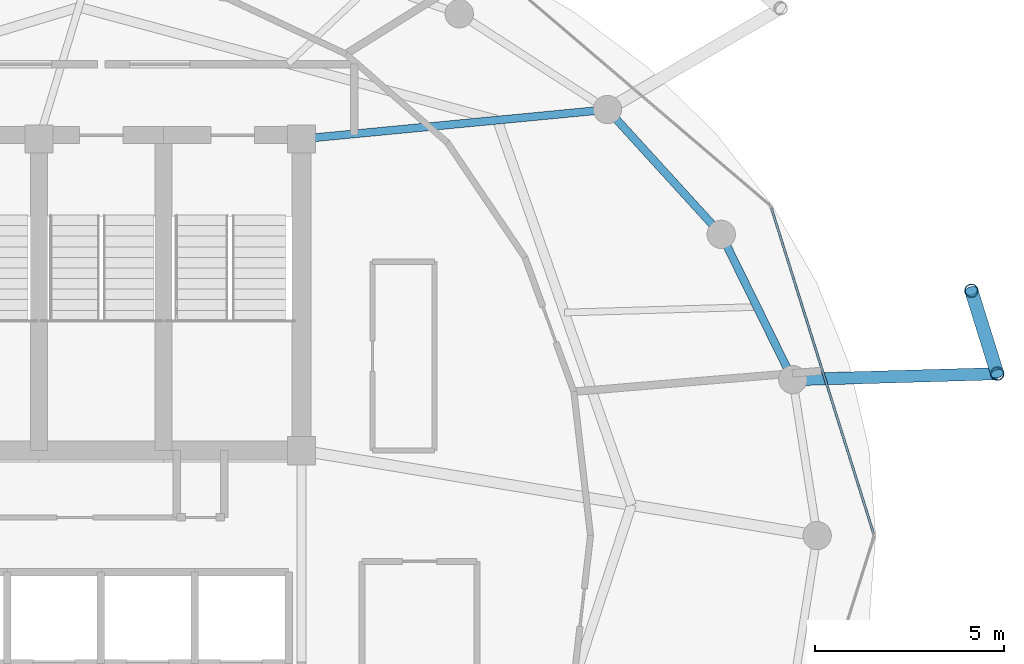
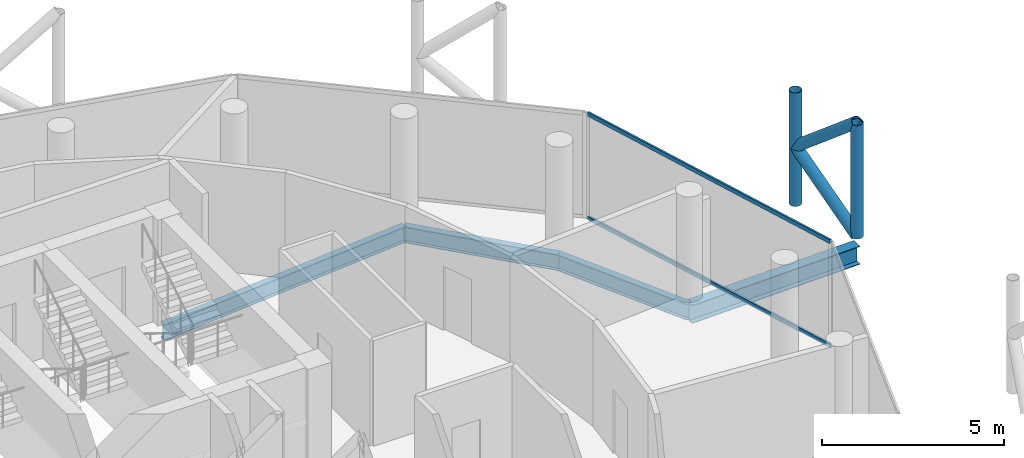
# One storey, part 13 of 24: 6 members, 4 beams, 1 element without a shape of its own.
"""IFC4 building model written with IfcOpenShell, lengths in metres."""

from ifc_helpers import new_model, si_unit, direction, frame, origin, origin_2d, place, context, subcontext, project, spatial, hollow_rectangle, hollow_circle, i_section, extrude, material, layer, layer_set, material_profile, profile_set, type_object, element, aggregate, save


model = new_model("IFC4")

# Units and contexts
model_context = context("Model", 3, precision=1e-05, world=origin(), true_north=direction((0.0, 1.0)))
body_context = subcontext(model_context, "Body", "Model", "MODEL_VIEW")
ifc_project = project(units=[si_unit("LENGTHUNIT", "METRE"), si_unit("AREAUNIT", "SQUARE_METRE"), si_unit("VOLUMEUNIT", "CUBIC_METRE"), si_unit("PLANEANGLEUNIT", "RADIAN"), si_unit("MASSUNIT", "GRAM", prefix="KILO")], contexts=[model_context])

# Site, building, storey
site_placement = place(None, origin())
site = spatial("IfcSite", under=ifc_project, at=site_placement, CompositionType="ELEMENT")
building_placement = place(site_placement, origin())
building = spatial("IfcBuilding", under=site, at=building_placement, Name="Nuhasar Tower", CompositionType="ELEMENT")
storey_placement = place(building_placement, frame((0.0, 0.0, 278.39990234375)))
storey = spatial("IfcBuildingStorey", under=building, at=storey_placement, Name="L69", CompositionType="ELEMENT", Elevation=278.39990234375)

# Beams
ifc_material_1 = material(Name="Steel S355", Category="steel")
ifc_material_profile_1 = material_profile(ifc_material_1, i_section(OverallWidth=0.208984375, OverallDepth=0.528076171875, WebThickness=0.009521484375, FlangeThickness=0.01318359375, at=origin_2d()), Name="W21X55")
ifc_profile_set_1 = profile_set([ifc_material_profile_1], Name="Steel S355")
beam_type_1 = type_object("IfcBeamType", Name="BM-RAD-W21X55", PredefinedType="BEAM", material=ifc_profile_set_1)
beam_1_placement = place(storey_placement, frame((44.300048828125, 37.300048828125, -0.52392578125), z_axis=(0.99542073054, 0.095590633496, 0.0), x_axis=(-0.095590633496, 0.99542073054, 0.0)))
element("IfcBeam", 1, at=beam_1_placement, inside=storey, type_object=beam_type_1, Name="L69 Radial Floor Girder 05", PredefinedType="BEAM", context=body_context, shape_type="SweptSolid", body=[
    extrude(i_section(OverallWidth=0.208984375, OverallDepth=0.528076171875, WebThickness=0.009521484375, FlangeThickness=0.01318359375, at=origin_2d()), origin(), (0.0, 0.0, 1.0), 8.13720703125),
])
ifc_material_profile_2 = material_profile(ifc_material_1, i_section(OverallWidth=0.2099609375, OverallDepth=0.537109375, WebThickness=0.010986328125, FlangeThickness=0.017333984375, at=origin_2d()), Name="W21X68")
ifc_profile_set_2 = profile_set([ifc_material_profile_2], Name="Steel S355")
beam_type_2 = type_object("IfcBeamType", Name="BM-RING-W21X68", PredefinedType="SPANDREL", material=ifc_profile_set_2)
beam_2_placement = place(storey_placement, frame((57.303955078125, 30.927978515625, -0.52880859375), z_axis=(-0.441533119295, 0.897244952377, 0.0), x_axis=(-0.897244952377, -0.441533119295, 0.0)))
element("IfcBeam", 2, at=beam_2_placement, inside=storey, type_object=beam_type_2, Name="L69 Perimeter Ring Spandrel 02", PredefinedType="SPANDREL", context=body_context, shape_type="SweptSolid", body=[
    extrude(i_section(OverallWidth=0.2099609375, OverallDepth=0.537109375, WebThickness=0.010986328125, FlangeThickness=0.017333984375, at=origin_2d()), origin(), (0.0, 0.0, 1.0), 4.28759765625),
])
beam_3_placement = place(storey_placement, frame((55.410888671875, 34.77490234375, -0.52880859375), z_axis=(-0.673686302939, 0.739017432293, 0.0), x_axis=(-0.739017432293, -0.673686302939, 0.0)))
element("IfcBeam", 3, at=beam_3_placement, inside=storey, type_object=beam_type_2, Name="L69 Perimeter Ring Spandrel 03", PredefinedType="SPANDREL", context=body_context, shape_type="SweptSolid", body=[
    extrude(i_section(OverallWidth=0.2099609375, OverallDepth=0.537109375, WebThickness=0.010986328125, FlangeThickness=0.017333984375, at=origin_2d()), origin(), (0.0, 0.0, 1.0), 4.469482421875),
])
ifc_material_profile_3 = material_profile(ifc_material_1, i_section(OverallWidth=0.323974609375, OverallDepth=0.611083984375, WebThickness=0.0126953125, FlangeThickness=0.01904296875, at=origin_2d()), Name="W24X104")
ifc_profile_set_3 = profile_set([ifc_material_profile_3], Name="Steel S355")
beam_type_3 = type_object("IfcBeamType", Name="BM-TIE-W24X104", PredefinedType="BEAM", material=ifc_profile_set_3)
beam_4_placement = place(storey_placement, frame((57.303955078125, 30.927978515625, -0.56591796875), z_axis=(0.999574661214, 0.029163275875, 0.0), x_axis=(-0.029163275875, 0.999574661214, 0.0)))
element("IfcBeam", 4, at=beam_4_placement, inside=storey, type_object=beam_type_3, Name="L69 Exoskeleton Node Tie Beam 01", PredefinedType="BEAM", context=body_context, shape_type="SweptSolid", body=[
    extrude(i_section(OverallWidth=0.323974609375, OverallDepth=0.611083984375, WebThickness=0.0126953125, FlangeThickness=0.01904296875, at=origin_2d()), origin(), (0.0, 0.0, 1.0), 5.416259765625),
])

# Curtain wall, members
ifc_material_2 = material(Name="Aluminium 6063-T6", Category="aluminium")
ifc_layer = layer(ifc_material_2, 0.18994140625)
ifc_layer_set = layer_set([ifc_layer], Name="Aluminium 6063-T6")
curtain_wall_type = type_object("IfcCurtainWallType", Name="CW-Z4-PEN", PredefinedType="NOTDEFINED", material=ifc_layer_set)
curtain_wall_placement = place(storey_placement, origin())
curtain_wall = element("IfcCurtainWall", 5, at=curtain_wall_placement, inside=storey, type_object=curtain_wall_type, Name="L69 Unitised Curtain Wall 01", PredefinedType="NOTDEFINED")
ifc_material_profile_4 = material_profile(ifc_material_2, hollow_rectangle(XDim=0.06005859375, YDim=0.135009765625, WallThickness=0.00439453125, at=origin_2d()), Name="CWT-5")
ifc_profile_set_4 = profile_set([ifc_material_profile_4], Name="Aluminium 6063-T6")
member_type_1 = type_object("IfcMemberType", Name="CW-TRN-S5", PredefinedType="USERDEFINED", material=ifc_profile_set_4)
member_1_placement = place(storey_placement, frame((59.442138671875, 26.857177734375, 0.030029296875), z_axis=(-0.29956014073, 0.954077419335, 0.0), x_axis=(-0.954077419335, -0.29956014073, 0.0)))
member_1 = element("IfcMember", 6, at=member_1_placement, type_object=member_type_1, Name="CW-Z4 transom 1.1", ObjectType="TRANSOM", PredefinedType="USERDEFINED", context=body_context, shape_type="SweptSolid", body=[
    extrude(hollow_rectangle(XDim=0.06005859375, YDim=0.135009765625, WallThickness=0.00439453125, at=origin_2d()), origin(), (0.0, 0.0, 1.0), 9.0302734375),
])
member_2_placement = place(storey_placement, frame((59.442138671875, 26.857177734375, 3.510009765625), z_axis=(-0.29956014073, 0.954077419335, 0.0), x_axis=(-0.954077419335, -0.29956014073, 0.0)))
member_2 = element("IfcMember", 7, at=member_2_placement, type_object=member_type_1, Name="CW-Z4 transom 1.2", ObjectType="TRANSOM", PredefinedType="USERDEFINED", context=body_context, shape_type="SweptSolid", body=[
    extrude(hollow_rectangle(XDim=0.06005859375, YDim=0.135009765625, WallThickness=0.00439453125, at=origin_2d()), origin(), (0.0, 0.0, 1.0), 9.0302734375),
])
aggregate(curtain_wall, [member_1, member_2])

# Members
ifc_material_3 = material(Name="Steel S460", Category="steel")
ifc_material_profile_5 = material_profile(ifc_material_3, hollow_circle(Radius=0.177734375, WallThickness=0.015869140625, at=origin_2d()), Name="HSS355.6X15.9")
ifc_profile_set_5 = profile_set([ifc_material_profile_5], Name="Steel S460")
member_type_2 = type_object("IfcMemberType", Name="EXO-BRONZE-356", PredefinedType="BRACE", material=ifc_profile_set_5)
for number, where, z_axis, x_axis, name in (
    (8, (62.718017578125, 31.0859375, 0.0), (0.0, 0.0, 1.0), (1.0, 0.0, 0.0), "L69 Exoskeleton Chord Column EC-01A"),
    (9, (62.032958984375, 33.281005859375, 0.0), (0.0, 0.0, 1.0), (1.0, 0.0, 0.0), "L69 Exoskeleton Chord Column EC-01B"),
):
    element("IfcMember", number, at=place(storey_placement, frame(where, z_axis=z_axis, x_axis=x_axis)), inside=storey, type_object=member_type_2, Name=name, PredefinedType="BRACE", context=body_context, shape_type="SweptSolid", body=[
        extrude(hollow_circle(Radius=0.177734375, WallThickness=0.015869140625, at=origin_2d()), origin(), (0.0, 0.0, 1.0), 3.800048828125),
    ])
for number, where, z_axis, x_axis, name in (
    (10, (62.718017578125, 31.0859375, 0.0), (-0.22965555433, 0.735863538482, 0.636995430987), (-0.954591372974, -0.297918295247, 0.0), "L69 Bronze Diagrid Brace W1-01"),
    (11, (62.032958984375, 33.281005859375, 1.900146484375), (0.229667527485, -0.735901902929, 0.636946792192), (0.954591372974, 0.297918295247, 0.0), "L69 Bronze Diagrid Brace W2-01"),
):
    element("IfcMember", number, at=place(storey_placement, frame(where, z_axis=z_axis, x_axis=x_axis)), inside=storey, type_object=member_type_2, Name=name, PredefinedType="BRACE", context=body_context, shape_type="SweptSolid", body=[
        extrude(hollow_circle(Radius=0.177734375, WallThickness=0.015869140625, at=origin_2d()), origin(), (0.0, 0.0, 1.0), 2.98291015625),
    ])

save(model, "model.ifc")
